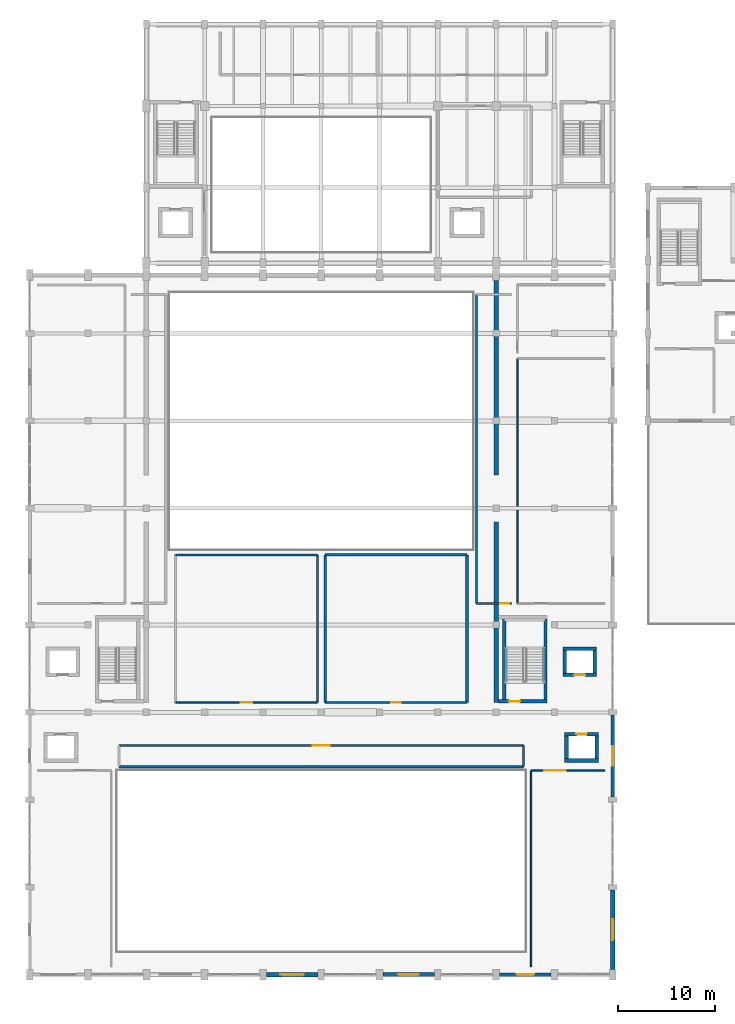
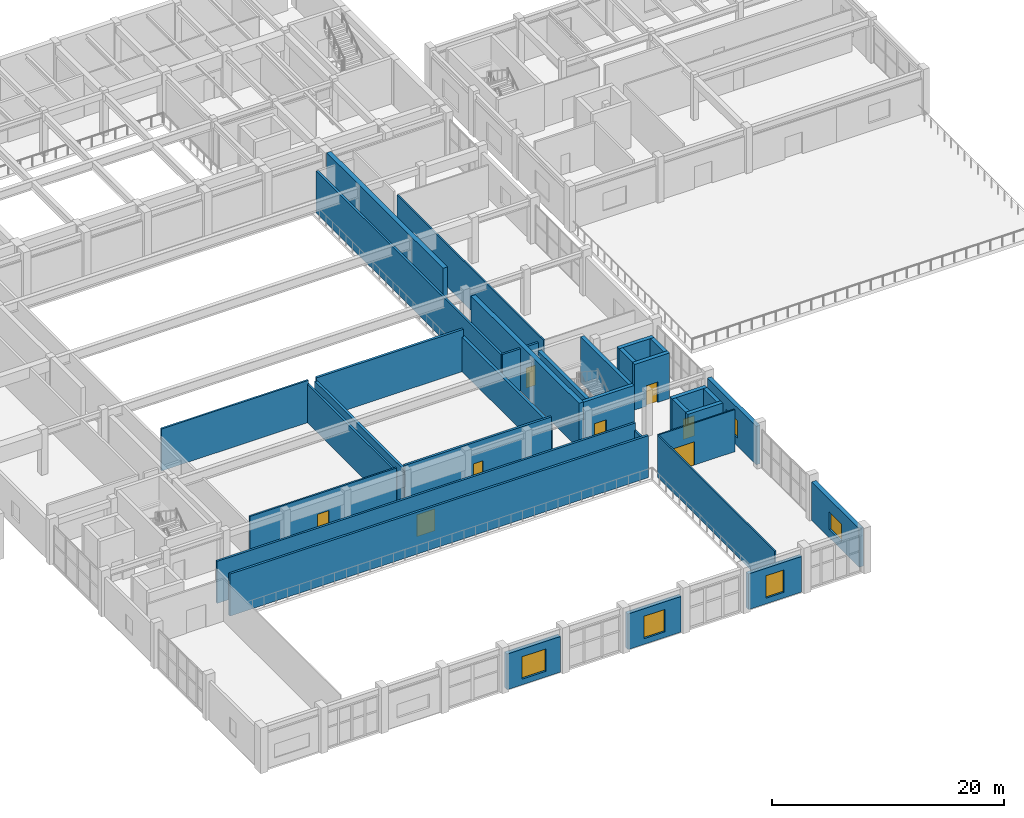
# One storey, part 41 of 62: 33 walls, 8 doors, 5 windows, 13 openings.
"""IFC4 building model written with IfcOpenShell, lengths in metres."""

from ifc_helpers import new_model, si_unit, direction, frame, frame_2d, origin, place, context, subcontext, project, spatial, rectangle, extrude, material, layer, layer_set, type_object, element, fill, save


model = new_model("IFC4")

# Units and contexts
model_context = context("Model", 3, precision=1e-05, world=origin(), true_north=direction((0.0, 1.0)))
body_context = subcontext(model_context, "Body", "Model", "MODEL_VIEW")
ifc_project = project(units=[si_unit("LENGTHUNIT", "METRE"), si_unit("AREAUNIT", "SQUARE_METRE"), si_unit("VOLUMEUNIT", "CUBIC_METRE"), si_unit("PLANEANGLEUNIT", "RADIAN"), si_unit("MASSUNIT", "GRAM", prefix="KILO")], contexts=[model_context])

# Site, building, storey
site_placement = place(None, origin())
site = spatial("IfcSite", under=ifc_project, at=site_placement, CompositionType="ELEMENT")
building_placement = place(site_placement, origin())
building = spatial("IfcBuilding", under=site, at=building_placement, Name="Vaelkrest Opera House", CompositionType="ELEMENT")
storey_placement = place(building_placement, frame((0.0, 0.0, 19.800048828125)))
storey = spatial("IfcBuildingStorey", under=building, at=storey_placement, Name="L04", CompositionType="ELEMENT", Elevation=19.800048828125)

# Wall, opening, window
ifc_material_1 = material(Name="Concrete C40/50", Category="concrete")
ifc_layer_1 = layer(ifc_material_1, 0.385009765625)
ifc_layer_set_1 = layer_set([ifc_layer_1], Name="Concrete C40/50")
wall_type_1 = type_object("IfcWallType", Name="EW07", PredefinedType="STANDARD", material=ifc_layer_set_1)
wall_1_placement = place(storey_placement, frame((23.652099609375, -55.800048828125, 0.0), z_axis=(0.0, 0.0, 1.0), x_axis=(-1.0, 0.0, 0.0)))
wall_1 = element("IfcWall", 1, at=wall_1_placement, inside=storey, type_object=wall_type_1, Name="Exterior facade wall EW-V1-L04-0097", PredefinedType="STANDARD", context=body_context, shape_type="SweptSolid", body=[
    extrude(rectangle(XDim=5.30419921875, YDim=0.385009765625, at=frame_2d((2.652099609375, 0.0))), origin(), (0.0, 0.0, 1.0), 3.744873046875),
])
opening_1_placement = place(wall_1_placement, frame((1.751953125, 0.0, 0.60009765625)))
opening_1 = element("IfcOpeningElement", 2, at=opening_1_placement, cuts=wall_1, Name="Opening WN048", PredefinedType="OPENING", context=body_context, shape_type="SweptSolid", body=[
    extrude(rectangle(XDim=1.800048828125, YDim=2.35009765625, at=frame_2d((0.89990234375, 1.175048828125))), frame((0.0, 0.202392578125, 0.0), z_axis=(0.0, -1.0, 0.0), x_axis=(1.0, 0.0, 0.0)), (0.0, 0.0, 1.0), 0.405029296875),
])
ifc_material_2 = material(Name="Double low-E insulated glazing", Category="glass")
window_type_1 = type_object("IfcWindowType", Name="WT22", PartitioningType="SINGLE_PANEL", PredefinedType="WINDOW", material=ifc_material_2)
window_1_placement = place(opening_1_placement, origin())
window_1 = element("IfcWindow", 3, at=window_1_placement, inside=storey, type_object=window_type_1, Name="Facade window WN048", OverallHeight=2.35009765625, OverallWidth=1.800048828125, PartitioningType="SINGLE_PANEL", PredefinedType="WINDOW", context=body_context, shape_type="SweptSolid", body=[
    extrude(rectangle(XDim=1.800048828125, YDim=2.35009765625, at=frame_2d((0.89990234375, 1.175048828125))), frame((0.0, 0.030029296875, 0.0), z_axis=(0.0, -1.0, 0.0), x_axis=(1.0, 0.0, 0.0)), (0.0, 0.0, 1.0), 0.06005859375),
])
fill(opening_1, window_1)

ifc_layer_2 = layer(ifc_material_1, 0.409912109375)
ifc_layer_set_2 = layer_set([ifc_layer_2], Name="Concrete C40/50")
wall_type_2 = type_object("IfcWallType", Name="EW08", PredefinedType="STANDARD", material=ifc_layer_set_2)
wall_2_placement = place(storey_placement, frame((11.652099609375, -55.800048828125, 0.0), z_axis=(0.0, 0.0, 1.0), x_axis=(-1.0, 0.0, 0.0)))
wall_2 = element("IfcWall", 4, at=wall_2_placement, inside=storey, type_object=wall_type_2, Name="Exterior facade wall EW-V1-L04-0098", PredefinedType="STANDARD", context=body_context, shape_type="SweptSolid", body=[
    extrude(rectangle(XDim=5.30419921875, YDim=0.409912109375, at=frame_2d((2.652099609375, 0.0))), origin(), (0.0, 0.0, 1.0), 3.744873046875),
])
opening_2_placement = place(wall_2_placement, frame((1.60205078125, 0.0, 0.60009765625)))
opening_2 = element("IfcOpeningElement", 5, at=opening_2_placement, cuts=wall_2, Name="Opening WN049", PredefinedType="OPENING", context=body_context, shape_type="SweptSolid", body=[
    extrude(rectangle(XDim=2.10009765625, YDim=2.35009765625, at=frame_2d((1.050048828125, 1.175048828125))), frame((0.0, 0.21484375, 0.0), z_axis=(0.0, -1.0, 0.0), x_axis=(1.0, 0.0, 0.0)), (0.0, 0.0, 1.0), 0.429931640625),
])
window_type_2 = type_object("IfcWindowType", Name="WT23", PartitioningType="SINGLE_PANEL", PredefinedType="WINDOW", material=ifc_material_2)
window_2_placement = place(opening_2_placement, origin())
window_2 = element("IfcWindow", 6, at=window_2_placement, inside=storey, type_object=window_type_2, Name="Facade window WN049", OverallHeight=2.35009765625, OverallWidth=2.10009765625, PartitioningType="SINGLE_PANEL", PredefinedType="WINDOW", context=body_context, shape_type="SweptSolid", body=[
    extrude(rectangle(XDim=2.10009765625, YDim=2.35009765625, at=frame_2d((1.050048828125, 1.175048828125))), frame((0.0, 0.030029296875, 0.0), z_axis=(0.0, -1.0, 0.0), x_axis=(1.0, 0.0, 0.0)), (0.0, 0.0, 1.0), 0.06005859375),
])
fill(opening_2, window_2)

wall_3_placement = place(storey_placement, frame((30.0, -29.097900390625, 0.0), z_axis=(0.0, 0.0, 1.0), x_axis=(0.0, -1.0, 0.0)))
wall_3 = element("IfcWall", 7, at=wall_3_placement, inside=storey, type_object=wall_type_2, Name="Exterior facade wall EW-V1-L04-0118", PredefinedType="STANDARD", context=body_context, shape_type="SweptSolid", body=[
    extrude(rectangle(XDim=8.404052734375, YDim=0.409912109375, at=frame_2d((4.2021484375, 0.0))), origin(), (0.0, 0.0, 1.0), 4.04296875),
])
opening_3_placement = place(wall_3_placement, frame((3.201904296875, 0.0, 0.85009765625)))
opening_3 = element("IfcOpeningElement", 8, at=opening_3_placement, cuts=wall_3, Name="Opening WN059", PredefinedType="OPENING", context=body_context, shape_type="SweptSolid", body=[
    extrude(rectangle(XDim=2.0, YDim=1.85009765625, at=frame_2d((1.0, 0.925048828125))), frame((0.0, 0.21484375, 0.0), z_axis=(0.0, -1.0, 0.0), x_axis=(1.0, 0.0, 0.0)), (0.0, 0.0, 1.0), 0.429931640625),
])
window_type_3 = type_object("IfcWindowType", Name="WT07", PartitioningType="SINGLE_PANEL", PredefinedType="WINDOW", material=ifc_material_2)
window_3_placement = place(opening_3_placement, origin())
window_3 = element("IfcWindow", 9, at=window_3_placement, inside=storey, type_object=window_type_3, Name="Facade window WN059", OverallHeight=1.85009765625, OverallWidth=2.0, PartitioningType="SINGLE_PANEL", PredefinedType="WINDOW", context=body_context, shape_type="SweptSolid", body=[
    extrude(rectangle(XDim=2.0, YDim=1.85009765625, at=frame_2d((1.0, 0.925048828125))), frame((0.0, 0.030029296875, 0.0), z_axis=(0.0, -1.0, 0.0), x_axis=(1.0, 0.0, 0.0)), (0.0, 0.0, 1.0), 0.06005859375),
])
fill(opening_3, window_3)

ifc_layer_3 = layer(ifc_material_1, 0.43505859375)
ifc_layer_set_3 = layer_set([ifc_layer_3], Name="Concrete C40/50")
wall_type_3 = type_object("IfcWallType", Name="EW09", PredefinedType="STANDARD", material=ifc_layer_set_3)
wall_4_placement = place(storey_placement, frame((-0.347900390625, -55.800048828125, 0.0), z_axis=(0.0, 0.0, 1.0), x_axis=(-1.0, 0.0, 0.0)))
wall_4 = element("IfcWall", 10, at=wall_4_placement, inside=storey, type_object=wall_type_3, Name="Exterior facade wall EW-V1-L04-0099", PredefinedType="STANDARD", context=body_context, shape_type="SweptSolid", body=[
    extrude(rectangle(XDim=5.30419921875, YDim=0.43505859375, at=frame_2d((2.652099609375, 0.0))), origin(), (0.0, 0.0, 1.0), 3.744873046875),
])
opening_4_placement = place(wall_4_placement, frame((1.451904296875, 0.0, 0.60009765625)))
opening_4 = element("IfcOpeningElement", 11, at=opening_4_placement, cuts=wall_4, Name="Opening WN050", PredefinedType="OPENING", context=body_context, shape_type="SweptSolid", body=[
    extrude(rectangle(XDim=2.39990234375, YDim=2.35009765625, at=frame_2d((1.199951171875, 1.175048828125))), frame((0.0, 0.2275390625, 0.0), z_axis=(0.0, -1.0, 0.0), x_axis=(1.0, 0.0, 0.0)), (0.0, 0.0, 1.0), 0.455078125),
])
window_type_4 = type_object("IfcWindowType", Name="WT24", PartitioningType="SINGLE_PANEL", PredefinedType="WINDOW", material=ifc_material_2)
window_4_placement = place(opening_4_placement, origin())
window_4 = element("IfcWindow", 12, at=window_4_placement, inside=storey, type_object=window_type_4, Name="Facade window WN050", OverallHeight=2.35009765625, OverallWidth=2.39990234375, PartitioningType="SINGLE_PANEL", PredefinedType="WINDOW", context=body_context, shape_type="SweptSolid", body=[
    extrude(rectangle(XDim=2.39990234375, YDim=2.35009765625, at=frame_2d((1.199951171875, 1.175048828125))), frame((0.0, 0.030029296875, 0.0), z_axis=(0.0, -1.0, 0.0), x_axis=(1.0, 0.0, 0.0)), (0.0, 0.0, 1.0), 0.06005859375),
])
fill(opening_4, window_4)

wall_5_placement = place(storey_placement, frame((30.0, -47.097900390625, 0.0), z_axis=(0.0, 0.0, 1.0), x_axis=(0.0, -1.0, 0.0)))
wall_5 = element("IfcWall", 13, at=wall_5_placement, inside=storey, type_object=wall_type_3, Name="Exterior facade wall EW-V1-L04-0119", PredefinedType="STANDARD", context=body_context, shape_type="SweptSolid", body=[
    extrude(rectangle(XDim=8.154052734375, YDim=0.43505859375, at=frame_2d((4.0771484375, 0.0))), origin(), (0.0, 0.0, 1.0), 4.04296875),
])
opening_5_placement = place(wall_5_placement, frame((3.001953125, 0.0, 0.85009765625)))
opening_5 = element("IfcOpeningElement", 14, at=opening_5_placement, cuts=wall_5, Name="Opening WN060", PredefinedType="OPENING", context=body_context, shape_type="SweptSolid", body=[
    extrude(rectangle(XDim=2.14990234375, YDim=1.85009765625, at=frame_2d((1.074951171875, 0.925048828125))), frame((0.0, 0.2275390625, 0.0), z_axis=(0.0, -1.0, 0.0), x_axis=(1.0, 0.0, 0.0)), (0.0, 0.0, 1.0), 0.455078125),
])
window_type_5 = type_object("IfcWindowType", Name="WT08", PartitioningType="SINGLE_PANEL", PredefinedType="WINDOW", material=ifc_material_2)
window_5_placement = place(opening_5_placement, origin())
window_5 = element("IfcWindow", 15, at=window_5_placement, inside=storey, type_object=window_type_5, Name="Facade window WN060", OverallHeight=1.85009765625, OverallWidth=2.14990234375, PartitioningType="SINGLE_PANEL", PredefinedType="WINDOW", context=body_context, shape_type="SweptSolid", body=[
    extrude(rectangle(XDim=2.14990234375, YDim=1.85009765625, at=frame_2d((1.074951171875, 0.925048828125))), frame((0.0, 0.030029296875, 0.0), z_axis=(0.0, -1.0, 0.0), x_axis=(1.0, 0.0, 0.0)), (0.0, 0.0, 1.0), 0.06005859375),
])
fill(opening_5, window_5)

# Wall, opening, door
ifc_material_3 = material(Name="Gypsum acoustic board", Category="gypsum")
ifc_layer_4 = layer(ifc_material_3, 0.135009765625)
ifc_layer_set_4 = layer_set([ifc_layer_4], Name="Gypsum acoustic board")
wall_type_4 = type_object("IfcWallType", Name="PT02", PredefinedType="PARTITIONING", material=ifc_layer_set_4)
wall_6_placement = place(storey_placement, frame((21.60009765625, -34.800048828125, 0.0), z_axis=(0.0, 0.0, 1.0), x_axis=(1.0, 0.0, 0.0)))
wall_6 = element("IfcWall", 16, at=wall_6_placement, inside=storey, type_object=wall_type_4, Name="Interior partition PT-V1-L04-0100", PredefinedType="PARTITIONING", context=body_context, shape_type="SweptSolid", body=[
    extrude(rectangle(XDim=7.599853515625, YDim=0.135009765625, at=frame_2d((3.7998046875, 0.0))), origin(), (0.0, 0.0, 1.0), 4.419921875),
])
opening_6_placement = place(wall_6_placement, frame((1.327880859375, 0.0, 0.0)))
opening_6 = element("IfcOpeningElement", 17, at=opening_6_placement, cuts=wall_6, Name="Opening D040", PredefinedType="OPENING", context=body_context, shape_type="SweptSolid", body=[
    extrude(rectangle(XDim=2.25, YDim=2.449951171875, at=frame_2d((1.125, 1.22509765625))), frame((0.0, 0.077392578125, 0.0), z_axis=(0.0, -1.0, 0.0), x_axis=(1.0, 0.0, 0.0)), (0.0, 0.0, 1.0), 0.155029296875),
])
ifc_material_4 = material(Name="American black walnut acoustic timber", Category="wood")
door_type_1 = type_object("IfcDoorType", Name="DT26", OperationType="DOUBLE_DOOR_SINGLE_SWING", PredefinedType="DOOR", material=ifc_material_4)
door_1_placement = place(opening_6_placement, origin())
door_1 = element("IfcDoor", 18, at=door_1_placement, inside=storey, type_object=door_type_1, Name="Interior door D040 (Amphitheatre Terrace Salon)", OperationType="DOUBLE_DOOR_SINGLE_SWING", OverallHeight=2.449951171875, OverallWidth=2.25, PredefinedType="DOOR", context=body_context, shape_type="SweptSolid", body=[
    extrude(rectangle(XDim=2.25, YDim=2.449951171875, at=frame_2d((1.125, 1.22509765625))), frame((0.0, 0.02490234375, 0.0), z_axis=(0.0, -1.0, 0.0), x_axis=(1.0, 0.0, 0.0)), (0.0, 0.0, 1.0), 0.050048828125),
])
fill(opening_6, door_1)

# Walls
ifc_layer_5 = layer(ifc_material_3, 0.14990234375)
ifc_layer_set_5 = layer_set([ifc_layer_5], Name="Gypsum acoustic board")
wall_type_5 = type_object("IfcWallType", Name="PT03", PredefinedType="PARTITIONING", material=ifc_layer_set_5)
wall_7_placement = place(storey_placement, frame((21.60009765625, -55.0, 0.0), z_axis=(0.0, 0.0, 1.0), x_axis=(0.0, 1.0, 0.0)))
element("IfcWall", 19, at=wall_7_placement, inside=storey, type_object=wall_type_5, Name="Interior partition PT-V1-L04-0101", PredefinedType="PARTITIONING", context=body_context, shape_type="SweptSolid", body=[
    extrude(rectangle(XDim=20.199951171875, YDim=0.14990234375, at=frame_2d((10.10009765625, 0.0))), origin(), (0.0, 0.0, 1.0), 4.419921875),
])
wall_8_placement = place(storey_placement, frame((20.199951171875, -17.60009765625, 0.0), z_axis=(0.0, 0.0, 1.0), x_axis=(0.0, 1.0, 0.0)))
element("IfcWall", 20, at=wall_8_placement, inside=storey, type_object=wall_type_5, Name="Interior partition PT-V1-L04-0115", PredefinedType="PARTITIONING", context=body_context, shape_type="SweptSolid", body=[
    extrude(rectangle(XDim=25.2001953125, YDim=0.14990234375, at=frame_2d((12.60009765625, 0.0))), origin(), (0.0, 0.0, 1.0), 4.419921875),
])

# Wall, opening, door
ifc_layer_6 = layer(ifc_material_3, 0.1650390625)
ifc_layer_set_6 = layer_set([ifc_layer_6], Name="Gypsum acoustic board")
wall_type_6 = type_object("IfcWallType", Name="PT04", PredefinedType="PARTITIONING", material=ifc_layer_set_6)
wall_9_placement = place(storey_placement, frame((-15.0, -27.800048828125, 0.0), z_axis=(0.0, 0.0, 1.0), x_axis=(1.0, 0.0, 0.0)))
wall_9 = element("IfcWall", 21, at=wall_9_placement, inside=storey, type_object=wall_type_6, Name="Interior partition PT-V1-L04-0102", PredefinedType="PARTITIONING", context=body_context, shape_type="SweptSolid", body=[
    extrude(rectangle(XDim=14.60009765625, YDim=0.1650390625, at=frame_2d((7.300048828125, 0.0))), origin(), (0.0, 0.0, 1.0), 4.419921875),
])
opening_7_placement = place(wall_9_placement, frame((6.72509765625, 0.0, 0.0)))
opening_7 = element("IfcOpeningElement", 22, at=opening_7_placement, cuts=wall_9, Name="Opening D041", PredefinedType="OPENING", context=body_context, shape_type="SweptSolid", body=[
    extrude(rectangle(XDim=1.14990234375, YDim=2.300048828125, at=frame_2d((0.574951171875, 1.14990234375))), frame((0.0, 0.092529296875, 0.0), z_axis=(0.0, -1.0, 0.0), x_axis=(1.0, 0.0, 0.0)), (0.0, 0.0, 1.0), 0.18505859375),
])
door_type_2 = type_object("IfcDoorType", Name="DT12", OperationType="NOTDEFINED", PredefinedType="DOOR", material=ifc_material_4)
door_2_placement = place(opening_7_placement, origin())
door_2 = element("IfcDoor", 23, at=door_2_placement, inside=storey, type_object=door_type_2, Name="Interior door D041 (Lighting Control Booth)", OperationType="SINGLE_SWING_RIGHT", OverallHeight=2.300048828125, OverallWidth=1.14990234375, PredefinedType="DOOR", context=body_context, shape_type="SweptSolid", body=[
    extrude(rectangle(XDim=1.14990234375, YDim=2.300048828125, at=frame_2d((0.574951171875, 1.14990234375))), frame((0.0, 0.02490234375, 0.0), z_axis=(0.0, -1.0, 0.0), x_axis=(1.0, 0.0, 0.0)), (0.0, 0.0, 1.0), 0.050048828125),
])
fill(opening_7, door_2)

# Walls
ifc_layer_7 = layer(ifc_material_3, 0.179931640625)
ifc_layer_set_7 = layer_set([ifc_layer_7], Name="Gypsum acoustic board")
wall_type_7 = type_object("IfcWallType", Name="PT05", PredefinedType="PARTITIONING", material=ifc_layer_set_7)
wall_10_placement = place(storey_placement, frame((-15.0, -12.60009765625, 0.0), z_axis=(0.0, 0.0, 1.0), x_axis=(1.0, 0.0, 0.0)))
element("IfcWall", 24, at=wall_10_placement, inside=storey, type_object=wall_type_7, Name="Interior partition PT-V1-L04-0103", PredefinedType="PARTITIONING", context=body_context, shape_type="SweptSolid", body=[
    extrude(rectangle(XDim=14.60009765625, YDim=0.179931640625, at=frame_2d((7.300048828125, 0.0))), origin(), (0.0, 0.0, 1.0), 4.419921875),
])
ifc_layer_8 = layer(ifc_material_4, 0.2099609375)
ifc_layer_set_8 = layer_set([ifc_layer_8], Name="American black walnut acoustic timber")
wall_type_8 = type_object("IfcWallType", Name="PT07", PredefinedType="PARTITIONING", material=ifc_layer_set_8)
wall_11_placement = place(storey_placement, frame((-0.39990234375, -27.800048828125, 0.0), z_axis=(0.0, 0.0, 1.0), x_axis=(0.0, 1.0, 0.0)))
element("IfcWall", 25, at=wall_11_placement, inside=storey, type_object=wall_type_8, Name="Interior partition PT-V1-L04-0105", PredefinedType="PARTITIONING", context=body_context, shape_type="SweptSolid", body=[
    extrude(rectangle(XDim=15.199951171875, YDim=0.2099609375, at=frame_2d((7.60009765625, 0.0))), origin(), (0.0, 0.0, 1.0), 4.04296875),
])

# Wall, opening, door
wall_12_placement = place(storey_placement, frame((16.0, -17.60009765625, 0.0), z_axis=(0.0, 0.0, 1.0), x_axis=(1.0, 0.0, 0.0)))
wall_12 = element("IfcWall", 26, at=wall_12_placement, inside=storey, type_object=wall_type_8, Name="Interior partition PT-V1-L04-0121", PredefinedType="PARTITIONING", context=body_context, shape_type="SweptSolid", body=[
    extrude(rectangle(XDim=3.60009765625, YDim=0.2099609375, at=frame_2d((1.800048828125, 0.0))), origin(), (0.0, 0.0, 1.0), 4.419921875),
])
opening_8_placement = place(wall_12_placement, frame((2.409912109375, 0.0, 0.0)))
opening_8 = element("IfcOpeningElement", 27, at=opening_8_placement, cuts=wall_12, Name="Opening D047", PredefinedType="OPENING", context=body_context, shape_type="SweptSolid", body=[
    extrude(rectangle(XDim=0.93994140625, YDim=2.10009765625, at=frame_2d((0.469970703125, 1.050048828125))), frame((0.0, 0.114990234375, 0.0), z_axis=(0.0, -1.0, 0.0), x_axis=(1.0, 0.0, 0.0)), (0.0, 0.0, 1.0), 0.22998046875),
])
door_type_3 = type_object("IfcDoorType", Name="DT02", OperationType="NOTDEFINED", PredefinedType="DOOR", material=ifc_material_4)
door_3_placement = place(opening_8_placement, origin())
door_3 = element("IfcDoor", 28, at=door_3_placement, inside=storey, type_object=door_type_3, Name="Interior door D047 (Broadcast Suite)", OperationType="SINGLE_SWING_RIGHT", OverallHeight=2.10009765625, OverallWidth=0.93994140625, PredefinedType="DOOR", context=body_context, shape_type="SweptSolid", body=[
    extrude(rectangle(XDim=0.93994140625, YDim=2.10009765625, at=frame_2d((0.469970703125, 1.050048828125))), frame((0.0, 0.02490234375, 0.0), z_axis=(0.0, -1.0, 0.0), x_axis=(1.0, 0.0, 0.0)), (0.0, 0.0, 1.0), 0.050048828125),
])
fill(opening_8, door_3)

# Wall
wall_13_placement = place(storey_placement, frame((16.0, -17.60009765625, 0.0), z_axis=(0.0, 0.0, 1.0), x_axis=(0.0, 1.0, 0.0)))
element("IfcWall", 29, at=wall_13_placement, inside=storey, type_object=wall_type_8, Name="Interior partition PT-V1-L04-0123", PredefinedType="PARTITIONING", context=body_context, shape_type="SweptSolid", body=[
    extrude(rectangle(XDim=31.800048828125, YDim=0.2099609375, at=frame_2d((15.89990234375, 0.0))), origin(), (0.0, 0.0, 1.0), 4.419921875),
])

# Wall, opening, door
wall_14_placement = place(storey_placement, frame((-20.800048828125, -32.199951171875, 0.0), z_axis=(0.0, 0.0, 1.0), x_axis=(1.0, 0.0, 0.0)))
wall_14 = element("IfcWall", 30, at=wall_14_placement, inside=storey, type_object=wall_type_8, Name="Interior partition PT-V1-L04-0125", PredefinedType="PARTITIONING", context=body_context, shape_type="SweptSolid", body=[
    extrude(rectangle(XDim=41.60009765625, YDim=0.2099609375, at=frame_2d((20.800048828125, 0.0))), origin(), (0.0, 0.0, 1.0), 4.419921875),
])
opening_9_placement = place(wall_14_placement, frame((19.909912109375, 0.0, 0.0)))
opening_9 = element("IfcOpeningElement", 31, at=opening_9_placement, cuts=wall_14, Name="Opening D048", PredefinedType="OPENING", context=body_context, shape_type="SweptSolid", body=[
    extrude(rectangle(XDim=1.780029296875, YDim=2.300048828125, at=frame_2d((0.89013671875, 1.14990234375))), frame((0.0, 0.114990234375, 0.0), z_axis=(0.0, -1.0, 0.0), x_axis=(1.0, 0.0, 0.0)), (0.0, 0.0, 1.0), 0.22998046875),
])
door_type_4 = type_object("IfcDoorType", Name="DT20", OperationType="DOUBLE_DOOR_SINGLE_SWING", PredefinedType="DOOR", material=ifc_material_4)
door_4_placement = place(opening_9_placement, origin())
door_4 = element("IfcDoor", 32, at=door_4_placement, inside=storey, type_object=door_type_4, Name="Interior door D048 (Coaching Suite)", OperationType="DOUBLE_DOOR_SINGLE_SWING", OverallHeight=2.300048828125, OverallWidth=1.780029296875, PredefinedType="DOOR", context=body_context, shape_type="SweptSolid", body=[
    extrude(rectangle(XDim=1.780029296875, YDim=2.300048828125, at=frame_2d((0.89013671875, 1.14990234375))), frame((0.0, 0.02490234375, 0.0), z_axis=(0.0, -1.0, 0.0), x_axis=(1.0, 0.0, 0.0)), (0.0, 0.0, 1.0), 0.050048828125),
])
fill(opening_9, door_4)

# Wall
wall_15_placement = place(storey_placement, frame((20.800048828125, -34.39990234375, 0.0), z_axis=(0.0, 0.0, 1.0), x_axis=(0.0, 1.0, 0.0)))
element("IfcWall", 33, at=wall_15_placement, inside=storey, type_object=wall_type_8, Name="Interior partition PT-V1-L04-0127", PredefinedType="PARTITIONING", context=body_context, shape_type="SweptSolid", body=[
    extrude(rectangle(XDim=2.199951171875, YDim=0.2099609375, at=frame_2d((1.10009765625, 0.0))), origin(), (0.0, 0.0, 1.0), 3.626953125),
])

# Wall, opening, door
ifc_layer_9 = layer(ifc_material_4, 0.22509765625)
ifc_layer_set_9 = layer_set([ifc_layer_9], Name="American black walnut acoustic timber")
wall_type_9 = type_object("IfcWallType", Name="PT08", PredefinedType="PARTITIONING", material=ifc_layer_set_9)
wall_16_placement = place(storey_placement, frame((0.39990234375, -27.800048828125, 0.0), z_axis=(0.0, 0.0, 1.0), x_axis=(1.0, 0.0, 0.0)))
wall_16 = element("IfcWall", 34, at=wall_16_placement, inside=storey, type_object=wall_type_9, Name="Interior partition PT-V1-L04-0106", PredefinedType="PARTITIONING", context=body_context, shape_type="SweptSolid", body=[
    extrude(rectangle(XDim=14.60009765625, YDim=0.22509765625, at=frame_2d((7.300048828125, 0.0))), origin(), (0.0, 0.0, 1.0), 4.419921875),
])
opening_10_placement = place(wall_16_placement, frame((6.820068359375, 0.0, 0.0)))
opening_10 = element("IfcOpeningElement", 35, at=opening_10_placement, cuts=wall_16, Name="Opening D042", PredefinedType="OPENING", context=body_context, shape_type="SweptSolid", body=[
    extrude(rectangle(XDim=0.9599609375, YDim=2.199951171875, at=frame_2d((0.47998046875, 1.10009765625))), frame((0.0, 0.12255859375, 0.0), z_axis=(0.0, -1.0, 0.0), x_axis=(1.0, 0.0, 0.0)), (0.0, 0.0, 1.0), 0.2451171875),
])
door_type_5 = type_object("IfcDoorType", Name="DT21", OperationType="NOTDEFINED", PredefinedType="DOOR", material=ifc_material_4)
door_5_placement = place(opening_10_placement, origin())
door_5 = element("IfcDoor", 36, at=door_5_placement, inside=storey, type_object=door_type_5, Name="Interior door D042 (Sound Control Booth)", OperationType="SINGLE_SWING_LEFT", OverallHeight=2.199951171875, OverallWidth=0.9599609375, PredefinedType="DOOR", context=body_context, shape_type="SweptSolid", body=[
    extrude(rectangle(XDim=0.9599609375, YDim=2.199951171875, at=frame_2d((0.47998046875, 1.10009765625))), frame((0.0, 0.02490234375, 0.0), z_axis=(0.0, -1.0, 0.0), x_axis=(1.0, 0.0, 0.0)), (0.0, 0.0, 1.0), 0.050048828125),
])
fill(opening_10, door_5)

# Walls
wall_17_placement = place(storey_placement, frame((-20.800048828125, -34.39990234375, 0.0), z_axis=(0.0, 0.0, 1.0), x_axis=(1.0, 0.0, 0.0)))
element("IfcWall", 37, at=wall_17_placement, inside=storey, type_object=wall_type_9, Name="Interior partition PT-V1-L04-0124", PredefinedType="PARTITIONING", context=body_context, shape_type="SweptSolid", body=[
    extrude(rectangle(XDim=41.60009765625, YDim=0.22509765625, at=frame_2d((20.800048828125, 0.0))), origin(), (0.0, 0.0, 1.0), 4.419921875),
])
ifc_layer_10 = layer(ifc_material_1, 0.239990234375)
ifc_layer_set_10 = layer_set([ifc_layer_10], Name="Concrete C40/50")
wall_type_10 = type_object("IfcWallType", Name="PT09", PredefinedType="PARTITIONING", material=ifc_layer_set_10)
wall_18_placement = place(storey_placement, frame((0.39990234375, -12.60009765625, 0.0), z_axis=(0.0, 0.0, 1.0), x_axis=(1.0, 0.0, 0.0)))
element("IfcWall", 38, at=wall_18_placement, inside=storey, type_object=wall_type_10, Name="Interior partition PT-V1-L04-0107", PredefinedType="PARTITIONING", context=body_context, shape_type="SweptSolid", body=[
    extrude(rectangle(XDim=14.60009765625, YDim=0.239990234375, at=frame_2d((7.300048828125, 0.0))), origin(), (0.0, 0.0, 1.0), 4.419921875),
])
ifc_layer_11 = layer(ifc_material_1, 0.260009765625)
ifc_layer_set_11 = layer_set([ifc_layer_11], Name="Concrete C40/50")
wall_type_11 = type_object("IfcWallType", Name="PT10", PredefinedType="PARTITIONING", material=ifc_layer_set_11)
wall_19_placement = place(storey_placement, frame((0.39990234375, -27.800048828125, 0.0), z_axis=(0.0, 0.0, 1.0), x_axis=(0.0, 1.0, 0.0)))
element("IfcWall", 39, at=wall_19_placement, inside=storey, type_object=wall_type_11, Name="Interior partition PT-V1-L04-0108", PredefinedType="PARTITIONING", context=body_context, shape_type="SweptSolid", body=[
    extrude(rectangle(XDim=15.199951171875, YDim=0.260009765625, at=frame_2d((7.60009765625, 0.0))), origin(), (0.0, 0.0, 1.0), 4.04296875),
])
ifc_layer_12 = layer(ifc_material_1, 0.280029296875)
ifc_layer_set_12 = layer_set([ifc_layer_12], Name="Concrete C40/50")
wall_type_12 = type_object("IfcWallType", Name="PT11", PredefinedType="PARTITIONING", material=ifc_layer_set_12)
wall_20_placement = place(storey_placement, frame((15.0, -27.800048828125, 0.0), z_axis=(0.0, 0.0, 1.0), x_axis=(0.0, 1.0, 0.0)))
element("IfcWall", 40, at=wall_20_placement, inside=storey, type_object=wall_type_12, Name="Interior partition PT-V1-L04-0109", PredefinedType="PARTITIONING", context=body_context, shape_type="SweptSolid", body=[
    extrude(rectangle(XDim=15.199951171875, YDim=0.280029296875, at=frame_2d((7.60009765625, 0.0))), origin(), (0.0, 0.0, 1.0), 3.626953125),
])

# Wall, opening, door
ifc_material_5 = material(Name="Concrete C50/60", Category="concrete")
ifc_layer_13 = layer(ifc_material_5, 0.35009765625)
ifc_layer_set_13 = layer_set([ifc_layer_13], Name="Concrete C50/60")
wall_type_13 = type_object("IfcWallType", Name="SW01", PredefinedType="SHEAR", material=ifc_layer_set_13)
wall_21_placement = place(storey_placement, frame((23.25, -27.675048828125, 0.0), z_axis=(0.0, 0.0, 1.0), x_axis=(-1.0, 0.0, 0.0)))
wall_21 = element("IfcWall", 41, at=wall_21_placement, inside=storey, type_object=wall_type_13, Name="Stair core ST02 wall L04 S", PredefinedType="SHEAR", context=body_context, shape_type="SweptSolid", body=[
    extrude(rectangle(XDim=5.02490234375, YDim=0.35009765625, at=frame_2d((2.512451171875, 0.0))), origin(), (0.0, 0.0, 1.0), 4.800048828125),
])
opening_11_placement = place(wall_21_placement, frame((2.77001953125, 0.0, 0.0)))
opening_11 = element("IfcOpeningElement", 42, at=opening_11_placement, cuts=wall_21, Name="Opening SD-ST02-L04", PredefinedType="OPENING", context=body_context, shape_type="SweptSolid", body=[
    extrude(rectangle(XDim=1.179931640625, YDim=2.14990234375, at=frame_2d((0.58984375, 1.074951171875))), frame((0.0, 0.18505859375, 0.0), z_axis=(0.0, -1.0, 0.0), x_axis=(1.0, 0.0, 0.0)), (0.0, 0.0, 1.0), 0.3701171875),
])
door_type_6 = type_object("IfcDoorType", Name="DT07", OperationType="NOTDEFINED", PredefinedType="DOOR", material=ifc_material_4)
door_6_placement = place(opening_11_placement, origin())
door_6 = element("IfcDoor", 43, at=door_6_placement, inside=storey, type_object=door_type_6, Name="Protected stair door SD-ST02-L04", OperationType="SINGLE_SWING_RIGHT", OverallHeight=2.14990234375, OverallWidth=1.179931640625, PredefinedType="DOOR", context=body_context, shape_type="SweptSolid", body=[
    extrude(rectangle(XDim=1.179931640625, YDim=2.14990234375, at=frame_2d((0.58984375, 1.074951171875))), frame((0.0, 0.02490234375, 0.0), z_axis=(0.0, -1.0, 0.0), x_axis=(1.0, 0.0, 0.0)), (0.0, 0.0, 1.0), 0.050048828125),
])
fill(opening_11, door_6)

# Walls
for number, where, z_axis, x_axis, name in (
    (44, (18.824951171875, -27.5, 0.0), (0.0, 0.0, 1.0), (0.0, 1.0, 0.0), "Stair core ST02 wall L04 W"),
    (45, (23.074951171875, -19.199951171875, 0.0), (0.0, 0.0, 1.0), (0.0, -1.0, 0.0), "Stair core ST02 wall L04 E"),
):
    element("IfcWall", number, at=place(storey_placement, frame(where, z_axis=z_axis, x_axis=x_axis)), inside=storey, type_object=wall_type_13, Name=name, PredefinedType="SHEAR", context=body_context, shape_type="SweptSolid", body=[
        extrude(rectangle(XDim=8.300048828125, YDim=0.35009765625, at=frame_2d((4.14990234375, 0.0))), origin(), (0.0, 0.0, 1.0), 4.800048828125),
    ])

# Wall, opening, door
ifc_layer_14 = layer(ifc_material_5, 0.389892578125)
ifc_layer_set_14 = layer_set([ifc_layer_14], Name="Concrete C50/60")
wall_type_14 = type_object("IfcWallType", Name="SW02", PredefinedType="SHEAR", material=ifc_layer_set_14)
wall_22_placement = place(storey_placement, frame((28.340087890625, -24.945068359375, 0.0), z_axis=(0.0, 0.0, 1.0), x_axis=(-1.0, 0.0, 0.0)))
wall_22 = element("IfcWall", 46, at=wall_22_placement, inside=storey, type_object=wall_type_14, Name="Lift shaft LP02 wall L04 S", PredefinedType="SHEAR", context=body_context, shape_type="SweptSolid", body=[
    extrude(rectangle(XDim=3.47998046875, YDim=0.389892578125, at=frame_2d((1.739990234375, 0.0))), origin(), (0.0, 0.0, 1.0), 4.800048828125),
])
opening_12_placement = place(wall_22_placement, frame((1.18994140625, 0.0, 0.0)))
opening_12 = element("IfcOpeningElement", 47, at=opening_12_placement, cuts=wall_22, Name="Opening LD-LP02-L04", PredefinedType="OPENING", context=body_context, shape_type="SweptSolid", body=[
    extrude(rectangle(XDim=1.10009765625, YDim=2.14990234375, at=frame_2d((0.550048828125, 1.074951171875))), frame((0.0, 0.204833984375, 0.0), z_axis=(0.0, -1.0, 0.0), x_axis=(1.0, 0.0, 0.0)), (0.0, 0.0, 1.0), 0.409912109375),
])
ifc_material_6 = material(Name="Dark bronze anodized aluminium", Category="aluminium")
door_type_7 = type_object("IfcDoorType", Name="LDT01", OperationType="SLIDING_TO_LEFT", PredefinedType="DOOR", material=ifc_material_6)
door_7_placement = place(opening_12_placement, origin())
door_7 = element("IfcDoor", 48, at=door_7_placement, inside=storey, type_object=door_type_7, Name="Lift landing sliding door LD-LP02-L04", OperationType="SLIDING_TO_LEFT", OverallHeight=2.14990234375, OverallWidth=1.10009765625, PredefinedType="DOOR", context=body_context, shape_type="SweptSolid", body=[
    extrude(rectangle(XDim=1.10009765625, YDim=2.14990234375, at=frame_2d((0.550048828125, 1.074951171875))), frame((0.0, 0.02490234375, 0.0), z_axis=(0.0, -1.0, 0.0), x_axis=(1.0, 0.0, 0.0)), (0.0, 0.0, 1.0), 0.050048828125),
])
fill(opening_12, door_7)

# Walls
wall_23_placement = place(storey_placement, frame((24.860107421875, -22.2548828125, 0.0), z_axis=(0.0, 0.0, 1.0), x_axis=(1.0, 0.0, 0.0)))
element("IfcWall", 49, at=wall_23_placement, inside=storey, type_object=wall_type_14, Name="Lift shaft LP02 wall L04 N", PredefinedType="SHEAR", context=body_context, shape_type="SweptSolid", body=[
    extrude(rectangle(XDim=3.47998046875, YDim=0.389892578125, at=frame_2d((1.739990234375, 0.0))), origin(), (0.0, 0.0, 1.0), 4.800048828125),
])
for number, where, z_axis, x_axis, name in (
    (50, (25.054931640625, -24.75, 0.0), (0.0, 0.0, 1.0), (0.0, 1.0, 0.0), "Lift shaft LP02 wall L04 W"),
    (51, (28.14501953125, -22.449951171875, 0.0), (0.0, 0.0, 1.0), (0.0, -1.0, 0.0), "Lift shaft LP02 wall L04 E"),
):
    element("IfcWall", number, at=place(storey_placement, frame(where, z_axis=z_axis, x_axis=x_axis)), inside=storey, type_object=wall_type_14, Name=name, PredefinedType="SHEAR", context=body_context, shape_type="SweptSolid", body=[
        extrude(rectangle(XDim=2.300048828125, YDim=0.389892578125, at=frame_2d((1.14990234375, 0.0))), origin(), (0.0, 0.0, 1.0), 4.800048828125),
    ])
wall_24_placement = place(storey_placement, frame((28.5400390625, -33.7451171875, 0.0), z_axis=(0.0, 0.0, 1.0), x_axis=(-1.0, 0.0, 0.0)))
element("IfcWall", 52, at=wall_24_placement, inside=storey, type_object=wall_type_14, Name="Lift shaft LP04 wall L04 S", PredefinedType="SHEAR", context=body_context, shape_type="SweptSolid", body=[
    extrude(rectangle(XDim=3.47998046875, YDim=0.389892578125, at=frame_2d((1.739990234375, 0.0))), origin(), (0.0, 0.0, 1.0), 4.800048828125),
])

# Wall, opening, door
wall_25_placement = place(storey_placement, frame((25.06005859375, -31.054931640625, 0.0), z_axis=(0.0, 0.0, 1.0), x_axis=(1.0, 0.0, 0.0)))
wall_25 = element("IfcWall", 53, at=wall_25_placement, inside=storey, type_object=wall_type_14, Name="Lift shaft LP04 wall L04 N", PredefinedType="SHEAR", context=body_context, shape_type="SweptSolid", body=[
    extrude(rectangle(XDim=3.47998046875, YDim=0.389892578125, at=frame_2d((1.739990234375, 0.0))), origin(), (0.0, 0.0, 1.0), 4.800048828125),
])
opening_13_placement = place(wall_25_placement, frame((1.18994140625, 0.0, 0.0)))
opening_13 = element("IfcOpeningElement", 54, at=opening_13_placement, cuts=wall_25, Name="Opening LD-LP04-L04", PredefinedType="OPENING", context=body_context, shape_type="SweptSolid", body=[
    extrude(rectangle(XDim=1.10009765625, YDim=2.14990234375, at=frame_2d((0.550048828125, 1.074951171875))), frame((0.0, 0.204833984375, 0.0), z_axis=(0.0, -1.0, 0.0), x_axis=(1.0, 0.0, 0.0)), (0.0, 0.0, 1.0), 0.409912109375),
])
door_8_placement = place(opening_13_placement, origin())
door_8 = element("IfcDoor", 55, at=door_8_placement, inside=storey, type_object=door_type_7, Name="Lift landing sliding door LD-LP04-L04", OperationType="SLIDING_TO_LEFT", OverallHeight=2.14990234375, OverallWidth=1.10009765625, PredefinedType="DOOR", context=body_context, shape_type="SweptSolid", body=[
    extrude(rectangle(XDim=1.10009765625, YDim=2.14990234375, at=frame_2d((0.550048828125, 1.074951171875))), frame((0.0, 0.02490234375, 0.0), z_axis=(0.0, -1.0, 0.0), x_axis=(1.0, 0.0, 0.0)), (0.0, 0.0, 1.0), 0.050048828125),
])
fill(opening_13, door_8)

# Walls
for number, where, z_axis, x_axis, name in (
    (56, (25.2548828125, -33.550048828125, 0.0), (0.0, 0.0, 1.0), (0.0, 1.0, 0.0), "Lift shaft LP04 wall L04 W"),
    (57, (28.344970703125, -31.25, 0.0), (0.0, 0.0, 1.0), (0.0, -1.0, 0.0), "Lift shaft LP04 wall L04 E"),
):
    element("IfcWall", number, at=place(storey_placement, frame(where, z_axis=z_axis, x_axis=x_axis)), inside=storey, type_object=wall_type_14, Name=name, PredefinedType="SHEAR", context=body_context, shape_type="SweptSolid", body=[
        extrude(rectangle(XDim=2.300048828125, YDim=0.389892578125, at=frame_2d((1.14990234375, 0.0))), origin(), (0.0, 0.0, 1.0), 4.800048828125),
    ])
ifc_layer_15 = layer(ifc_material_5, 0.449951171875)
ifc_layer_set_15 = layer_set([ifc_layer_15], Name="Concrete C50/60")
wall_type_15 = type_object("IfcWallType", Name="SW03", PredefinedType="SHEAR", material=ifc_layer_set_15)
wall_26_placement = place(storey_placement, frame((18.0, -27.800048828125, 0.0), z_axis=(0.0, 0.0, 1.0), x_axis=(0.0, 1.0, 0.0)))
element("IfcWall", 58, at=wall_26_placement, inside=storey, type_object=wall_type_15, Name="Auditorium shell wall E1 L04", PredefinedType="SHEAR", context=body_context, shape_type="SweptSolid", body=[
    extrude(rectangle(XDim=18.60009765625, YDim=0.449951171875, at=frame_2d((9.300048828125, 0.0))), origin(), (0.0, 0.0, 1.0), 4.800048828125),
])
wall_27_placement = place(storey_placement, frame((18.0, -4.39990234375, 0.0), z_axis=(0.0, 0.0, 1.0), x_axis=(0.0, 1.0, 0.0)))
element("IfcWall", 59, at=wall_27_placement, inside=storey, type_object=wall_type_15, Name="Auditorium shell wall E2 L04", PredefinedType="SHEAR", context=body_context, shape_type="SweptSolid", body=[
    extrude(rectangle(XDim=20.0498046875, YDim=0.449951171875, at=frame_2d((10.02490234375, 0.0))), origin(), (0.0, 0.0, 1.0), 4.800048828125),
])

save(model, "model.ifc")
